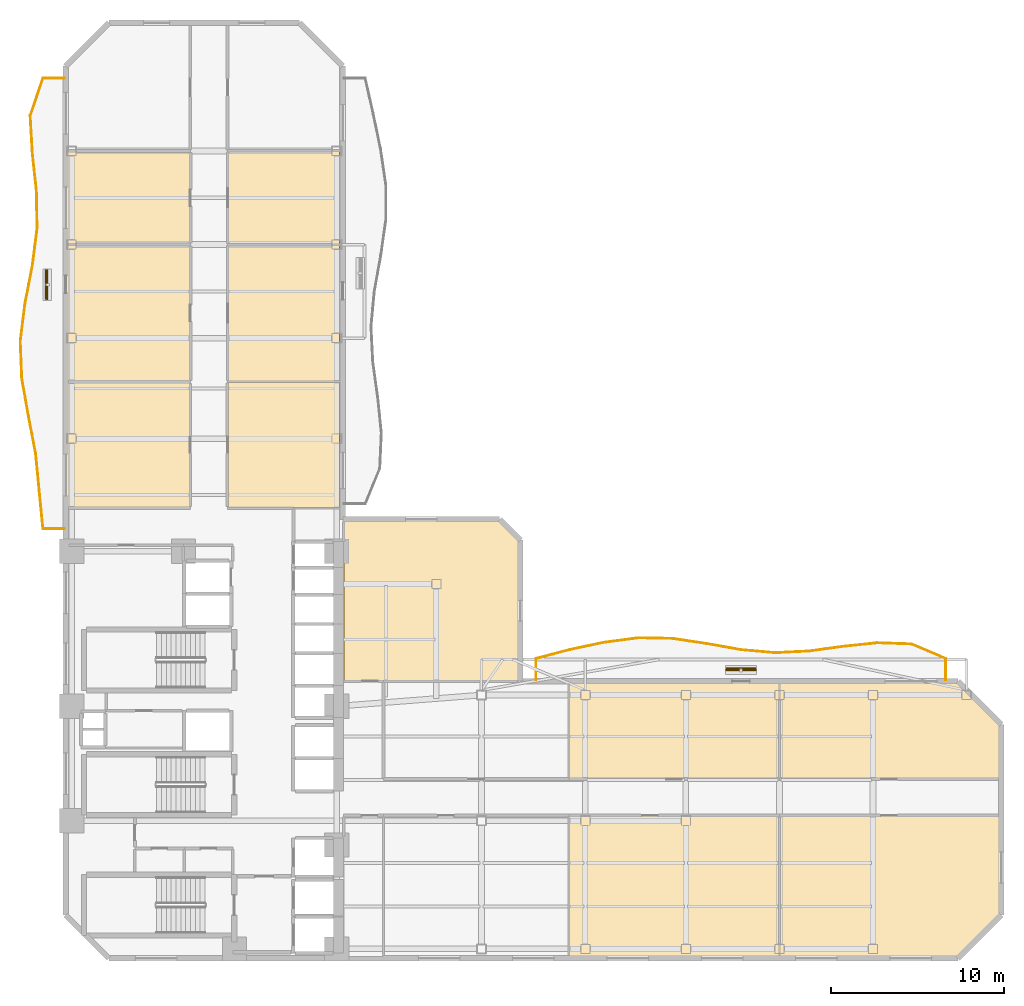
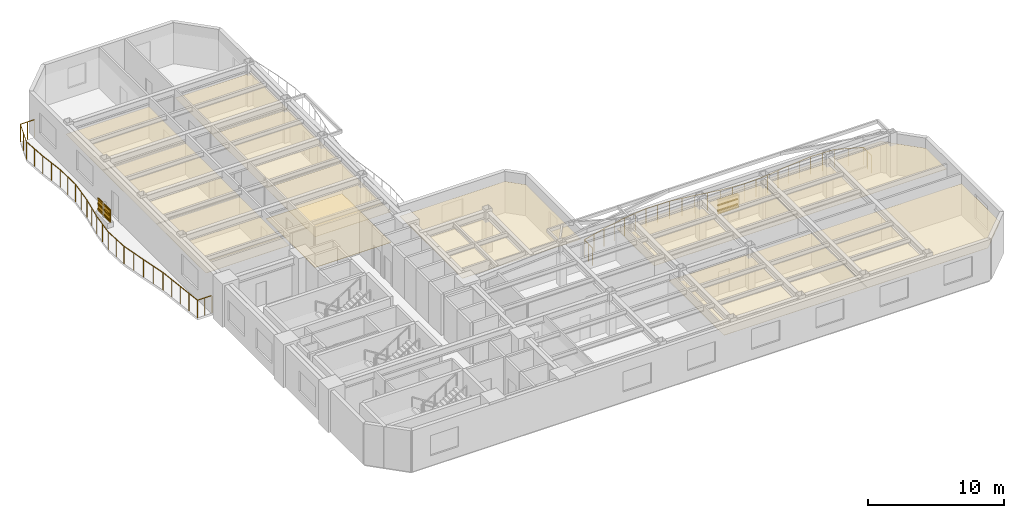
# One storey, part 9 of 10: 12 coverings, 8 shading devices, 2 railings.
"""IFC4 building model written with IfcOpenShell, lengths in metres."""

from ifc_helpers import new_model, si_unit, direction, frame, origin, origin_2d, place, context, subcontext, project, spatial, polyline, rectangle, outline, extrude, material, layer, layer_set, material_profile, profile_set, type_object, element, save


model = new_model("IFC4")

# Units and contexts
model_context = context("Model", 3, precision=1e-05, world=origin(), true_north=direction((0.0, 1.0)))
body_context = subcontext(model_context, "Body", "Model", "MODEL_VIEW")
ifc_project = project(units=[si_unit("LENGTHUNIT", "METRE"), si_unit("AREAUNIT", "SQUARE_METRE"), si_unit("VOLUMEUNIT", "CUBIC_METRE"), si_unit("PLANEANGLEUNIT", "RADIAN"), si_unit("MASSUNIT", "GRAM", prefix="KILO")], contexts=[model_context])

# Site, building, storey
site_placement = place(None, origin())
site = spatial("IfcSite", under=ifc_project, at=site_placement, CompositionType="ELEMENT")
building_placement = place(site_placement, origin())
building = spatial("IfcBuilding", under=site, at=building_placement, Name="Mawjaban Terraces University", CompositionType="ELEMENT")
storey_placement = place(building_placement, frame((0.0, 0.0, 81.699951171875)))
storey = spatial("IfcBuildingStorey", under=building, at=storey_placement, Name="L19", CompositionType="ELEMENT", Elevation=81.699951171875)

# Coverings
ifc_material_1 = material(Name="Acoustic mineral fibre ceiling tile", Category="masonry")
ifc_layer_1 = layer(ifc_material_1, 0.02001953125)
ifc_layer_set_1 = layer_set([ifc_layer_1], Name="Acoustic mineral fibre ceiling tile")
covering_type_1 = type_object("IfcCoveringType", Name="AcousticMineralCeiling_20", PredefinedType="CEILING", material=ifc_layer_set_1)
covering_1_placement = place(storey_placement, frame((0.0, 0.0, 2.75)))
element("IfcCovering", 1, at=covering_1_placement, inside=storey, type_object=covering_type_1, Name="L19 Academic Counseling Room 4 Acoustic Ceiling", PredefinedType="CEILING", context=body_context, shape_type="SweptSolid", body=[
    extrude(outline(polyline([(51.074951171875, 0.114990234375), (63.169921875, 0.114990234375), (63.169921875, 8.219970703125), (51.074951171875, 8.219970703125), (51.074951171875, 0.114990234375)])), origin(), (0.0, 0.0, 1.0), 0.02001953125),
])
covering_2_placement = place(storey_placement, frame((0.0, 0.0, 2.75)))
element("IfcCovering", 2, at=covering_2_placement, inside=storey, type_object=covering_type_1, Name="L19 Faculty Office 5 Acoustic Ceiling", PredefinedType="CEILING", context=body_context, shape_type="SweptSolid", body=[
    extrude(outline(polyline([(63.169921875, 15.885009765625), (51.074951171875, 15.885009765625), (51.074951171875, 10.3798828125), (63.169921875, 10.3798828125), (63.169921875, 15.885009765625)])), origin(), (0.0, 0.0, 1.0), 0.02001953125),
])
covering_3_placement = place(storey_placement, frame((0.0, 0.0, 2.75)))
element("IfcCovering", 3, at=covering_3_placement, inside=storey, type_object=covering_type_1, Name="L19 Departmental Office 6 Acoustic Ceiling", PredefinedType="CEILING", context=body_context, shape_type="SweptSolid", body=[
    extrude(outline(polyline([(63.22998046875, 0.114990234375), (73.452880859375, 0.114990234375), (75.885009765625, 2.547119140625), (75.885009765625, 8.219970703125), (63.22998046875, 8.219970703125), (63.22998046875, 0.114990234375)])), origin(), (0.0, 0.0, 1.0), 0.02001953125),
])
covering_4_placement = place(storey_placement, frame((0.0, 0.0, 2.75)))
element("IfcCovering", 4, at=covering_4_placement, inside=storey, type_object=covering_type_1, Name="L19 Faculty Office 7 Acoustic Ceiling", PredefinedType="CEILING", context=body_context, shape_type="SweptSolid", body=[
    extrude(outline(polyline([(75.885009765625, 10.3798828125), (75.885009765625, 13.452880859375), (73.452880859375, 15.885009765625), (63.22998046875, 15.885009765625), (63.22998046875, 10.3798828125), (75.885009765625, 10.3798828125)])), origin(), (0.0, 0.0, 1.0), 0.02001953125),
])
covering_5_placement = place(storey_placement, frame((0.0, 0.0, 2.75)))
element("IfcCovering", 5, at=covering_5_placement, inside=storey, type_object=covering_type_1, Name="L19 Departmental Office 8 Acoustic Ceiling", PredefinedType="CEILING", context=body_context, shape_type="SweptSolid", body=[
    extrude(outline(polyline([(22.114990234375, 33.25), (22.114990234375, 26.030029296875), (29.169921875, 26.030029296875), (29.169921875, 33.25), (22.114990234375, 33.25)])), origin(), (0.0, 0.0, 1.0), 0.02001953125),
])
covering_6_placement = place(storey_placement, frame((0.0, 0.0, 2.75)))
element("IfcCovering", 6, at=covering_6_placement, inside=storey, type_object=covering_type_1, Name="L19 Quiet Reading Room 9 Acoustic Ceiling", PredefinedType="CEILING", context=body_context, shape_type="SweptSolid", body=[
    extrude(outline(polyline([(37.820068359375, 26.030029296875), (37.820068359375, 33.25), (31.3798828125, 33.25), (31.3798828125, 26.030029296875), (37.820068359375, 26.030029296875)])), origin(), (0.0, 0.0, 1.0), 0.02001953125),
])
covering_7_placement = place(storey_placement, frame((0.0, 0.0, 2.75)))
element("IfcCovering", 7, at=covering_7_placement, inside=storey, type_object=covering_type_1, Name="L19 Media Workshop 10 Acoustic Ceiling", PredefinedType="CEILING", context=body_context, shape_type="SweptSolid", body=[
    extrude(outline(polyline([(22.114990234375, 41.169921875), (22.114990234375, 33.31005859375), (29.169921875, 33.31005859375), (29.169921875, 41.169921875), (22.114990234375, 41.169921875)])), origin(), (0.0, 0.0, 1.0), 0.02001953125),
])
covering_8_placement = place(storey_placement, frame((0.0, 0.0, 2.75)))
element("IfcCovering", 8, at=covering_8_placement, inside=storey, type_object=covering_type_1, Name="L19 Teaching Laboratory 11 Acoustic Ceiling", PredefinedType="CEILING", context=body_context, shape_type="SweptSolid", body=[
    extrude(outline(polyline([(37.820068359375, 33.31005859375), (37.820068359375, 41.169921875), (31.3798828125, 41.169921875), (31.3798828125, 33.31005859375), (37.820068359375, 33.31005859375)])), origin(), (0.0, 0.0, 1.0), 0.02001953125),
])
covering_9_placement = place(storey_placement, frame((0.0, 0.0, 2.75)))
element("IfcCovering", 9, at=covering_9_placement, inside=storey, type_object=covering_type_1, Name="L19 Design Studio 12 Acoustic Ceiling", PredefinedType="CEILING", context=body_context, shape_type="SweptSolid", body=[
    extrude(outline(polyline([(22.114990234375, 46.570068359375), (22.114990234375, 41.22998046875), (29.169921875, 41.22998046875), (29.169921875, 46.570068359375), (22.114990234375, 46.570068359375)])), origin(), (0.0, 0.0, 1.0), 0.02001953125),
])
covering_10_placement = place(storey_placement, frame((0.0, 0.0, 2.75)))
element("IfcCovering", 10, at=covering_10_placement, inside=storey, type_object=covering_type_1, Name="L19 Computational Laboratory 13 Acoustic Ceiling", PredefinedType="CEILING", context=body_context, shape_type="SweptSolid", body=[
    extrude(outline(polyline([(37.820068359375, 41.22998046875), (37.820068359375, 46.570068359375), (31.3798828125, 46.570068359375), (31.3798828125, 41.22998046875), (37.820068359375, 41.22998046875)])), origin(), (0.0, 0.0, 1.0), 0.02001953125),
])
covering_11_placement = place(storey_placement, frame((0.0, 0.0, 2.75)))
element("IfcCovering", 11, at=covering_11_placement, inside=storey, type_object=covering_type_1, Name="L19 Terrace Collaborative Study Room Acoustic Ceiling", PredefinedType="CEILING", context=body_context, shape_type="SweptSolid", body=[
    extrude(outline(polyline([(48.135009765625, 16.030029296875), (48.135009765625, 24.090087890625), (47.0029296875, 25.221923828125), (38.080078125, 25.221923828125), (38.080078125, 16.030029296875), (48.135009765625, 16.030029296875)])), origin(), (0.0, 0.0, 1.0), 0.02001953125),
])

# Railings
ifc_material_2 = material(Name="Galvanised powder-coated steel S355", Category="steel")
railing_type = type_object("IfcRailingType", Name="BalconyBalustrade_1600", PredefinedType="BALUSTRADE", material=ifc_material_2)
railing_1_placement = place(storey_placement, frame((21.919921875, 24.800048828125, 0.0)))
element("IfcRailing", 12, at=railing_1_placement, inside=storey, type_object=railing_type, Name="L19 Balcony Guardrail west", PredefinedType="BALUSTRADE", context=body_context, shape_type="SweptSolid", body=[
    extrude(rectangle(XDim=0.048095703125, YDim=0.048095703125, at=origin_2d()), frame((0.0, 0.0, 1.576171875), z_axis=(-1.0, 0.0, 0.0), x_axis=(0.0, -1.0, 0.0)), (0.0, 0.0, 1.0), 1.219970703125),
    extrude(rectangle(XDim=0.048095703125, YDim=0.048095703125, at=origin_2d()), frame((-1.219970703125, 0.0, 1.576171875), z_axis=(-0.096883228076, 0.995295755099, 0.0), x_axis=(-0.995295755099, -0.096883228076, 0.0)), (0.0, 0.0, 1.0), 2.17724609375),
    extrude(rectangle(XDim=0.048095703125, YDim=0.048095703125, at=origin_2d()), frame((-1.430908203125, 2.1669921875, 1.576171875), z_axis=(-0.096037346488, 0.995377731356, 0.0), x_axis=(-0.995377731356, -0.096037346488, 0.0)), (0.0, 0.0, 1.0), 2.176025390625),
    extrude(rectangle(XDim=0.048095703125, YDim=0.048095703125, at=origin_2d()), frame((-1.639892578125, 4.3330078125, 1.576171875), z_axis=(-0.188108607076, 0.982148233183, 0.0), x_axis=(-0.982148233183, -0.188108607076, 0.0)), (0.0, 0.0, 1.0), 2.206298828125),
    extrude(rectangle(XDim=0.048095703125, YDim=0.048095703125, at=origin_2d()), frame((-2.054931640625, 6.5, 1.576171875), z_axis=(-0.174500407925, 0.984657101551, 0.0), x_axis=(-0.984657101551, -0.174500407925, 0.0)), (0.0, 0.0, 1.0), 2.20068359375),
    extrude(rectangle(XDim=0.048095703125, YDim=0.048095703125, at=origin_2d()), frame((-2.43896484375, 8.6669921875, 1.576171875), z_axis=(-0.040543732568, 0.999177764839, 0.0), x_axis=(-0.999177764839, -0.040543732568, 0.0)), (0.0, 0.0, 1.0), 2.167724609375),
    extrude(rectangle(XDim=0.048095703125, YDim=0.048095703125, at=origin_2d()), frame((-2.52685546875, 10.8330078125, 1.576171875), z_axis=(0.123649449448, 0.992325961391, 0.0), x_axis=(-0.992325961391, 0.123649449448, 0.0)), (0.0, 0.0, 1.0), 2.183837890625),
    extrude(rectangle(XDim=0.048095703125, YDim=0.048095703125, at=origin_2d()), frame((-2.2568359375, 13.0, 1.576171875), z_axis=(0.192372709266, 0.981321935315, 0.0), x_axis=(-0.981321935315, 0.192372709266, 0.0)), (0.0, 0.0, 1.0), 2.208251953125),
    extrude(rectangle(XDim=0.048095703125, YDim=0.048095703125, at=origin_2d()), frame((-1.83203125, 15.1669921875, 1.576171875), z_axis=(0.126016204068, 0.992028183225, 0.0), x_axis=(-0.992028183225, 0.126016204068, 0.0)), (0.0, 0.0, 1.0), 2.183349609375),
    extrude(rectangle(XDim=0.048095703125, YDim=0.048095703125, at=origin_2d()), frame((-1.556884765625, 17.3330078125, 1.576171875), z_axis=(-0.017572770568, 0.999845586946, 0.0), x_axis=(-0.999845586946, -0.017572770568, 0.0)), (0.0, 0.0, 1.0), 2.167236328125),
    extrude(rectangle(XDim=0.048095703125, YDim=0.048095703125, at=origin_2d()), frame((-1.594970703125, 19.5, 1.576171875), z_axis=(-0.107751142086, 0.994177897249, 0.0), x_axis=(-0.994177897249, -0.107751142086, 0.0)), (0.0, 0.0, 1.0), 2.1796875),
    extrude(rectangle(XDim=0.048095703125, YDim=0.048095703125, at=origin_2d()), frame((-1.829833984375, 21.6669921875, 1.576171875), z_axis=(-0.057165158423, 0.998364735286, 0.0), x_axis=(-0.998364735286, -0.057165158423, 0.0)), (0.0, 0.0, 1.0), 2.169677734375),
    extrude(rectangle(XDim=0.048095703125, YDim=0.048095703125, at=origin_2d()), frame((-1.953857421875, 23.8330078125, 1.576171875), z_axis=(0.32076997758, 0.94715712608, 0.0), x_axis=(-0.94715712608, 0.32076997758, 0.0)), (0.0, 0.0, 1.0), 2.287841796875),
    extrude(rectangle(XDim=0.048095703125, YDim=0.048095703125, at=origin_2d()), frame((-1.219970703125, 26.0, 1.576171875), z_axis=(1.0, 0.0, 0.0), x_axis=(0.0, 1.0, 0.0)), (0.0, 0.0, 1.0), 1.219970703125),
    extrude(rectangle(XDim=0.0419921875, YDim=0.0419921875, at=origin_2d()), origin(), (0.0, 0.0, 1.0), 1.552001953125),
    extrude(rectangle(XDim=0.0419921875, YDim=0.0419921875, at=origin_2d()), frame((-0.60986328125, 0.0, 0.0)), (0.0, 0.0, 1.0), 1.552001953125),
    extrude(rectangle(XDim=0.0419921875, YDim=0.0419921875, at=origin_2d()), frame((-1.219970703125, 0.0, 0.0)), (0.0, 0.0, 1.0), 1.552001953125),
    extrude(rectangle(XDim=0.0419921875, YDim=0.0419921875, at=origin_2d()), frame((-1.325439453125, 1.08349609375, 0.0)), (0.0, 0.0, 1.0), 1.552001953125),
    extrude(rectangle(XDim=0.0419921875, YDim=0.0419921875, at=origin_2d()), frame((-1.430908203125, 2.1669921875, 0.0)), (0.0, 0.0, 1.0), 1.552001953125),
    extrude(rectangle(XDim=0.0419921875, YDim=0.0419921875, at=origin_2d()), frame((-1.535400390625, 3.25, 0.0)), (0.0, 0.0, 1.0), 1.552001953125),
    extrude(rectangle(XDim=0.0419921875, YDim=0.0419921875, at=origin_2d()), frame((-1.639892578125, 4.3330078125, 0.0)), (0.0, 0.0, 1.0), 1.552001953125),
    extrude(rectangle(XDim=0.0419921875, YDim=0.0419921875, at=origin_2d()), frame((-1.847412109375, 5.41650390625, 0.0)), (0.0, 0.0, 1.0), 1.552001953125),
    extrude(rectangle(XDim=0.0419921875, YDim=0.0419921875, at=origin_2d()), frame((-2.054931640625, 6.5, 0.0)), (0.0, 0.0, 1.0), 1.552001953125),
    extrude(rectangle(XDim=0.0419921875, YDim=0.0419921875, at=origin_2d()), frame((-2.2470703125, 7.58349609375, 0.0)), (0.0, 0.0, 1.0), 1.552001953125),
    extrude(rectangle(XDim=0.0419921875, YDim=0.0419921875, at=origin_2d()), frame((-2.43896484375, 8.6669921875, 0.0)), (0.0, 0.0, 1.0), 1.552001953125),
    extrude(rectangle(XDim=0.0419921875, YDim=0.0419921875, at=origin_2d()), frame((-2.48291015625, 9.75, 0.0)), (0.0, 0.0, 1.0), 1.552001953125),
    extrude(rectangle(XDim=0.0419921875, YDim=0.0419921875, at=origin_2d()), frame((-2.52685546875, 10.8330078125, 0.0)), (0.0, 0.0, 1.0), 1.552001953125),
    extrude(rectangle(XDim=0.0419921875, YDim=0.0419921875, at=origin_2d()), frame((-2.391845703125, 11.91650390625, 0.0)), (0.0, 0.0, 1.0), 1.552001953125),
    extrude(rectangle(XDim=0.0419921875, YDim=0.0419921875, at=origin_2d()), frame((-2.2568359375, 13.0, 0.0)), (0.0, 0.0, 1.0), 1.552001953125),
    extrude(rectangle(XDim=0.0419921875, YDim=0.0419921875, at=origin_2d()), frame((-2.04443359375, 14.08349609375, 0.0)), (0.0, 0.0, 1.0), 1.552001953125),
    extrude(rectangle(XDim=0.0419921875, YDim=0.0419921875, at=origin_2d()), frame((-1.83203125, 15.1669921875, 0.0)), (0.0, 0.0, 1.0), 1.552001953125),
    extrude(rectangle(XDim=0.0419921875, YDim=0.0419921875, at=origin_2d()), frame((-1.6943359375, 16.25, 0.0)), (0.0, 0.0, 1.0), 1.552001953125),
    extrude(rectangle(XDim=0.0419921875, YDim=0.0419921875, at=origin_2d()), frame((-1.556884765625, 17.3330078125, 0.0)), (0.0, 0.0, 1.0), 1.552001953125),
    extrude(rectangle(XDim=0.0419921875, YDim=0.0419921875, at=origin_2d()), frame((-1.575927734375, 18.41650390625, 0.0)), (0.0, 0.0, 1.0), 1.552001953125),
    extrude(rectangle(XDim=0.0419921875, YDim=0.0419921875, at=origin_2d()), frame((-1.594970703125, 19.5, 0.0)), (0.0, 0.0, 1.0), 1.552001953125),
    extrude(rectangle(XDim=0.0419921875, YDim=0.0419921875, at=origin_2d()), frame((-1.71240234375, 20.58349609375, 0.0)), (0.0, 0.0, 1.0), 1.552001953125),
    extrude(rectangle(XDim=0.0419921875, YDim=0.0419921875, at=origin_2d()), frame((-1.829833984375, 21.6669921875, 0.0)), (0.0, 0.0, 1.0), 1.552001953125),
    extrude(rectangle(XDim=0.0419921875, YDim=0.0419921875, at=origin_2d()), frame((-1.891845703125, 22.75, 0.0)), (0.0, 0.0, 1.0), 1.552001953125),
    extrude(rectangle(XDim=0.0419921875, YDim=0.0419921875, at=origin_2d()), frame((-1.953857421875, 23.8330078125, 0.0)), (0.0, 0.0, 1.0), 1.552001953125),
    extrude(rectangle(XDim=0.0419921875, YDim=0.0419921875, at=origin_2d()), frame((-1.5869140625, 24.91650390625, 0.0)), (0.0, 0.0, 1.0), 1.552001953125),
    extrude(rectangle(XDim=0.0419921875, YDim=0.0419921875, at=origin_2d()), frame((-1.219970703125, 26.0, 0.0)), (0.0, 0.0, 1.0), 1.552001953125),
    extrude(rectangle(XDim=0.0419921875, YDim=0.0419921875, at=origin_2d()), frame((-0.60986328125, 26.0, 0.0)), (0.0, 0.0, 1.0), 1.552001953125),
    extrude(rectangle(XDim=0.0419921875, YDim=0.0419921875, at=origin_2d()), frame((0.0, 26.0, 0.0)), (0.0, 0.0, 1.0), 1.552001953125),
])
railing_2_placement = place(storey_placement, frame((49.14990234375, 16.080078125, 0.0)))
element("IfcRailing", 13, at=railing_2_placement, inside=storey, type_object=railing_type, Name="L19 Balcony Guardrail inner_north", PredefinedType="BALUSTRADE", context=body_context, shape_type="SweptSolid", body=[
    extrude(rectangle(XDim=0.048095703125, YDim=0.048095703125, at=origin_2d()), frame((0.0, 0.0, 1.576171875), z_axis=(0.0, 1.0, 0.0), x_axis=(-1.0, 0.0, 0.0)), (0.0, 0.0, 1.0), 1.219970703125),
    extrude(rectangle(XDim=0.048095703125, YDim=0.048095703125, at=origin_2d()), frame((0.0, 1.219970703125, 1.576171875), z_axis=(0.966682575478, 0.25597812068, 0.0), x_axis=(-0.25597812068, 0.966682575478, 0.0)), (0.0, 0.0, 1.0), 2.0390625),
    extrude(rectangle(XDim=0.048095703125, YDim=0.048095703125, at=origin_2d()), frame((1.97119140625, 1.741943359375, 1.576171875), z_axis=(0.978637157773, 0.205595022864, 0.0), x_axis=(-0.205595022864, 0.978637157773, 0.0)), (0.0, 0.0, 1.0), 2.013916015625),
    extrude(rectangle(XDim=0.048095703125, YDim=0.048095703125, at=origin_2d()), frame((3.942138671875, 2.156005859375, 1.576171875), z_axis=(0.991401941639, 0.130851786819, 0.0), x_axis=(-0.130851786819, 0.991401941639, 0.0)), (0.0, 0.0, 1.0), 1.987060546875),
    extrude(rectangle(XDim=0.048095703125, YDim=0.048095703125, at=origin_2d()), frame((5.912109375, 2.416015625, 1.576171875), z_axis=(0.99981335013, -0.019320064737, 0.0), x_axis=(0.019320064737, 0.99981335013, 0.0)), (0.0, 0.0, 1.0), 1.971435546875),
    extrude(rectangle(XDim=0.048095703125, YDim=0.048095703125, at=origin_2d()), frame((7.883056640625, 2.3779296875, 1.576171875), z_axis=(0.988917476152, -0.148466243168, 0.0), x_axis=(0.148466243168, 0.988917476152, 0.0)), (0.0, 0.0, 1.0), 1.992919921875),
    extrude(rectangle(XDim=0.048095703125, YDim=0.048095703125, at=origin_2d()), frame((9.85400390625, 2.08203125, 1.576171875), z_axis=(0.984507357455, -0.175343272234, 0.0), x_axis=(0.175343272234, 0.984507357455, 0.0)), (0.0, 0.0, 1.0), 2.002197265625),
    extrude(rectangle(XDim=0.048095703125, YDim=0.048095703125, at=origin_2d()), frame((11.8251953125, 1.73095703125, 1.576171875), z_axis=(0.996035558291, -0.088955981361, 0.0), x_axis=(0.088955981361, 0.996035558291, 0.0)), (0.0, 0.0, 1.0), 1.978759765625),
    extrude(rectangle(XDim=0.048095703125, YDim=0.048095703125, at=origin_2d()), frame((13.796142578125, 1.554931640625, 1.576171875), z_axis=(0.998793036068, 0.049116912588, 0.0), x_axis=(-0.049116912588, 0.998793036068, 0.0)), (0.0, 0.0, 1.0), 1.973388671875),
    extrude(rectangle(XDim=0.048095703125, YDim=0.048095703125, at=origin_2d()), frame((15.76708984375, 1.65185546875, 1.576171875), z_axis=(0.990802500593, 0.135315944436, 0.0), x_axis=(-0.135315944436, 0.990802500593, 0.0)), (0.0, 0.0, 1.0), 1.98828125),
    extrude(rectangle(XDim=0.048095703125, YDim=0.048095703125, at=origin_2d()), frame((17.737060546875, 1.9208984375, 1.576171875), z_axis=(0.994477066899, 0.104954101449, 0.0), x_axis=(-0.104954101449, 0.994477066899, 0.0)), (0.0, 0.0, 1.0), 1.98193359375),
    extrude(rectangle(XDim=0.048095703125, YDim=0.048095703125, at=origin_2d()), frame((19.7080078125, 2.12890625, 1.576171875), z_axis=(0.999368831978, -0.035523762048, 0.0), x_axis=(0.035523762048, 0.999368831978, 0.0)), (0.0, 0.0, 1.0), 1.972412109375),
    extrude(rectangle(XDim=0.048095703125, YDim=0.048095703125, at=origin_2d()), frame((21.67919921875, 2.058837890625, 1.576171875), z_axis=(0.920126674481, -0.391620866285, 0.0), x_axis=(0.391620866285, 0.920126674481, 0.0)), (0.0, 0.0, 1.0), 2.14208984375),
    extrude(rectangle(XDim=0.048095703125, YDim=0.048095703125, at=origin_2d()), frame((23.650146484375, 1.219970703125, 1.576171875), z_axis=(0.0, -1.0, 0.0), x_axis=(1.0, 0.0, 0.0)), (0.0, 0.0, 1.0), 1.219970703125),
    extrude(rectangle(XDim=0.0419921875, YDim=0.0419921875, at=origin_2d()), origin(), (0.0, 0.0, 1.0), 1.552001953125),
    extrude(rectangle(XDim=0.0419921875, YDim=0.0419921875, at=origin_2d()), frame((0.0, 0.60986328125, 0.0)), (0.0, 0.0, 1.0), 1.552001953125),
    extrude(rectangle(XDim=0.0419921875, YDim=0.0419921875, at=origin_2d()), frame((0.0, 1.219970703125, 0.0)), (0.0, 0.0, 1.0), 1.552001953125),
    extrude(rectangle(XDim=0.0419921875, YDim=0.0419921875, at=origin_2d()), frame((0.985595703125, 1.48095703125, 0.0)), (0.0, 0.0, 1.0), 1.552001953125),
    extrude(rectangle(XDim=0.0419921875, YDim=0.0419921875, at=origin_2d()), frame((1.97119140625, 1.741943359375, 0.0)), (0.0, 0.0, 1.0), 1.552001953125),
    extrude(rectangle(XDim=0.0419921875, YDim=0.0419921875, at=origin_2d()), frame((2.95654296875, 1.948974609375, 0.0)), (0.0, 0.0, 1.0), 1.552001953125),
    extrude(rectangle(XDim=0.0419921875, YDim=0.0419921875, at=origin_2d()), frame((3.942138671875, 2.156005859375, 0.0)), (0.0, 0.0, 1.0), 1.552001953125),
    extrude(rectangle(XDim=0.0419921875, YDim=0.0419921875, at=origin_2d()), frame((4.92724609375, 2.2861328125, 0.0)), (0.0, 0.0, 1.0), 1.552001953125),
    extrude(rectangle(XDim=0.0419921875, YDim=0.0419921875, at=origin_2d()), frame((5.912109375, 2.416015625, 0.0)), (0.0, 0.0, 1.0), 1.552001953125),
    extrude(rectangle(XDim=0.0419921875, YDim=0.0419921875, at=origin_2d()), frame((6.8974609375, 2.39697265625, 0.0)), (0.0, 0.0, 1.0), 1.552001953125),
    extrude(rectangle(XDim=0.0419921875, YDim=0.0419921875, at=origin_2d()), frame((7.883056640625, 2.3779296875, 0.0)), (0.0, 0.0, 1.0), 1.552001953125),
    extrude(rectangle(XDim=0.0419921875, YDim=0.0419921875, at=origin_2d()), frame((8.86865234375, 2.22998046875, 0.0)), (0.0, 0.0, 1.0), 1.552001953125),
    extrude(rectangle(XDim=0.0419921875, YDim=0.0419921875, at=origin_2d()), frame((9.85400390625, 2.08203125, 0.0)), (0.0, 0.0, 1.0), 1.552001953125),
    extrude(rectangle(XDim=0.0419921875, YDim=0.0419921875, at=origin_2d()), frame((10.839599609375, 1.906494140625, 0.0)), (0.0, 0.0, 1.0), 1.552001953125),
    extrude(rectangle(XDim=0.0419921875, YDim=0.0419921875, at=origin_2d()), frame((11.8251953125, 1.73095703125, 0.0)), (0.0, 0.0, 1.0), 1.552001953125),
    extrude(rectangle(XDim=0.0419921875, YDim=0.0419921875, at=origin_2d()), frame((12.810546875, 1.64306640625, 0.0)), (0.0, 0.0, 1.0), 1.552001953125),
    extrude(rectangle(XDim=0.0419921875, YDim=0.0419921875, at=origin_2d()), frame((13.796142578125, 1.554931640625, 0.0)), (0.0, 0.0, 1.0), 1.552001953125),
    extrude(rectangle(XDim=0.0419921875, YDim=0.0419921875, at=origin_2d()), frame((14.78173828125, 1.603515625, 0.0)), (0.0, 0.0, 1.0), 1.552001953125),
    extrude(rectangle(XDim=0.0419921875, YDim=0.0419921875, at=origin_2d()), frame((15.76708984375, 1.65185546875, 0.0)), (0.0, 0.0, 1.0), 1.552001953125),
    extrude(rectangle(XDim=0.0419921875, YDim=0.0419921875, at=origin_2d()), frame((16.751953125, 1.786376953125, 0.0)), (0.0, 0.0, 1.0), 1.552001953125),
    extrude(rectangle(XDim=0.0419921875, YDim=0.0419921875, at=origin_2d()), frame((17.737060546875, 1.9208984375, 0.0)), (0.0, 0.0, 1.0), 1.552001953125),
    extrude(rectangle(XDim=0.0419921875, YDim=0.0419921875, at=origin_2d()), frame((18.72265625, 2.02490234375, 0.0)), (0.0, 0.0, 1.0), 1.552001953125),
    extrude(rectangle(XDim=0.0419921875, YDim=0.0419921875, at=origin_2d()), frame((19.7080078125, 2.12890625, 0.0)), (0.0, 0.0, 1.0), 1.552001953125),
    extrude(rectangle(XDim=0.0419921875, YDim=0.0419921875, at=origin_2d()), frame((20.693603515625, 2.09375, 0.0)), (0.0, 0.0, 1.0), 1.552001953125),
    extrude(rectangle(XDim=0.0419921875, YDim=0.0419921875, at=origin_2d()), frame((21.67919921875, 2.058837890625, 0.0)), (0.0, 0.0, 1.0), 1.552001953125),
    extrude(rectangle(XDim=0.0419921875, YDim=0.0419921875, at=origin_2d()), frame((22.66455078125, 1.639404296875, 0.0)), (0.0, 0.0, 1.0), 1.552001953125),
    extrude(rectangle(XDim=0.0419921875, YDim=0.0419921875, at=origin_2d()), frame((23.650146484375, 1.219970703125, 0.0)), (0.0, 0.0, 1.0), 1.552001953125),
    extrude(rectangle(XDim=0.0419921875, YDim=0.0419921875, at=origin_2d()), frame((23.650146484375, 0.60986328125, 0.0)), (0.0, 0.0, 1.0), 1.552001953125),
    extrude(rectangle(XDim=0.0419921875, YDim=0.0419921875, at=origin_2d()), frame((23.650146484375, 0.0, 0.0)), (0.0, 0.0, 1.0), 1.552001953125),
])

# Shading devices
ifc_material_3 = material(Name="Glazed architectural terracotta ceramic", Category="masonry")
ifc_material_profile = material_profile(ifc_material_3, rectangle(XDim=0.06494140625, YDim=0.110107421875, at=origin_2d()), Name="TBAG110X65")
ifc_profile_set = profile_set([ifc_material_profile], Name="Glazed architectural terracotta ceramic")
shading_device_type_1 = type_object("IfcShadingDeviceType", Name="TerracottaBaguette_110x65", PredefinedType="USERDEFINED", material=ifc_profile_set)
for number, where, z_axis, x_axis, name in (
    (14, (20.85791015625, 38.032958984375, 0.679931640625), (0.0, 1.0, 0.0), (-1.0, 0.0, 0.0), "L19 Horizontal Terracotta Baguette west.1"),
    (15, (20.85791015625, 38.032958984375, 1.150146484375), (0.0, 1.0, 0.0), (-1.0, 0.0, 0.0), "L19 Horizontal Terracotta Baguette west.2"),
    (16, (20.85791015625, 38.032958984375, 1.6201171875), (0.0, 1.0, 0.0), (-1.0, 0.0, 0.0), "L19 Horizontal Terracotta Baguette west.3"),
    (17, (60.125, 16.72998046875, 0.679931640625), (1.0, 0.0, 0.0), (0.0, 1.0, 0.0), "L19 Horizontal Terracotta Baguette inner_north.1"),
    (18, (60.125, 16.72998046875, 1.150146484375), (1.0, 0.0, 0.0), (0.0, 1.0, 0.0), "L19 Horizontal Terracotta Baguette inner_north.2"),
    (19, (60.125, 16.72998046875, 1.6201171875), (1.0, 0.0, 0.0), (0.0, 1.0, 0.0), "L19 Horizontal Terracotta Baguette inner_north.3"),
):
    element("IfcShadingDevice", number, at=place(storey_placement, frame(where, z_axis=z_axis, x_axis=x_axis)), inside=storey, type_object=shading_device_type_1, Name=name, ObjectType="BAGUETTE", PredefinedType="USERDEFINED", context=body_context, shape_type="SweptSolid", body=[
        extrude(rectangle(XDim=0.06494140625, YDim=0.110107421875, at=origin_2d()), origin(), (0.0, 0.0, 1.0), 1.699951171875),
    ])
ifc_layer_2 = layer(ifc_material_3, 0.080078125)
ifc_layer_set_2 = layer_set([ifc_layer_2], Name="Glazed architectural terracotta ceramic")
shading_device_type_2 = type_object("IfcShadingDeviceType", Name="TerracottaScreen_Perforated", PredefinedType="USERDEFINED", material=ifc_layer_set_2)
for number, where, z_axis, x_axis, name in (
    (20, (20.943115234375, 38.883056640625, 0.440185546875), (0.0, 0.0, 1.0), (0.0, 1.0, 0.0), "L19 Balcony Perforated Terracotta Screen west"),
    (21, (60.97509765625, 16.64501953125, 0.440185546875), (0.0, 0.0, 1.0), (1.0, 0.0, 0.0), "L19 Balcony Perforated Terracotta Screen inner_north"),
):
    element("IfcShadingDevice", number, at=place(storey_placement, frame(where, z_axis=z_axis, x_axis=x_axis)), inside=storey, type_object=shading_device_type_2, Name=name, ObjectType="SCREEN", PredefinedType="USERDEFINED", context=body_context, shape_type="SweptSolid", body=[
        extrude(rectangle(XDim=1.75, YDim=0.080078125, at=origin_2d()), origin(), (0.0, 0.0, 1.0), 1.14990234375),
    ])

# Covering
ifc_material_4 = material(Name="Polished Hijazi granite terrazzo flooring", Category="masonry")
ifc_layer_3 = layer(ifc_material_4, 0.02490234375)
ifc_layer_set_3 = layer_set([ifc_layer_3], Name="Polished Hijazi granite terrazzo flooring")
covering_type_2 = type_object("IfcCoveringType", Name="TerrazzoConcourseFlooring_25", PredefinedType="FLOORING", material=ifc_layer_set_3)
covering_12_placement = place(storey_placement, origin())
element("IfcCovering", 22, at=covering_12_placement, inside=storey, type_object=covering_type_2, Name="L19 Quiet Reading Room 9 Terrazzo Flooring", PredefinedType="FLOORING", context=body_context, shape_type="SweptSolid", body=[
    extrude(outline(polyline([(37.820068359375, 26.030029296875), (37.820068359375, 33.25), (31.3798828125, 33.25), (31.3798828125, 26.030029296875), (37.820068359375, 26.030029296875)])), origin(), (0.0, 0.0, 1.0), 0.025146484375),
])

save(model, "model.ifc")
